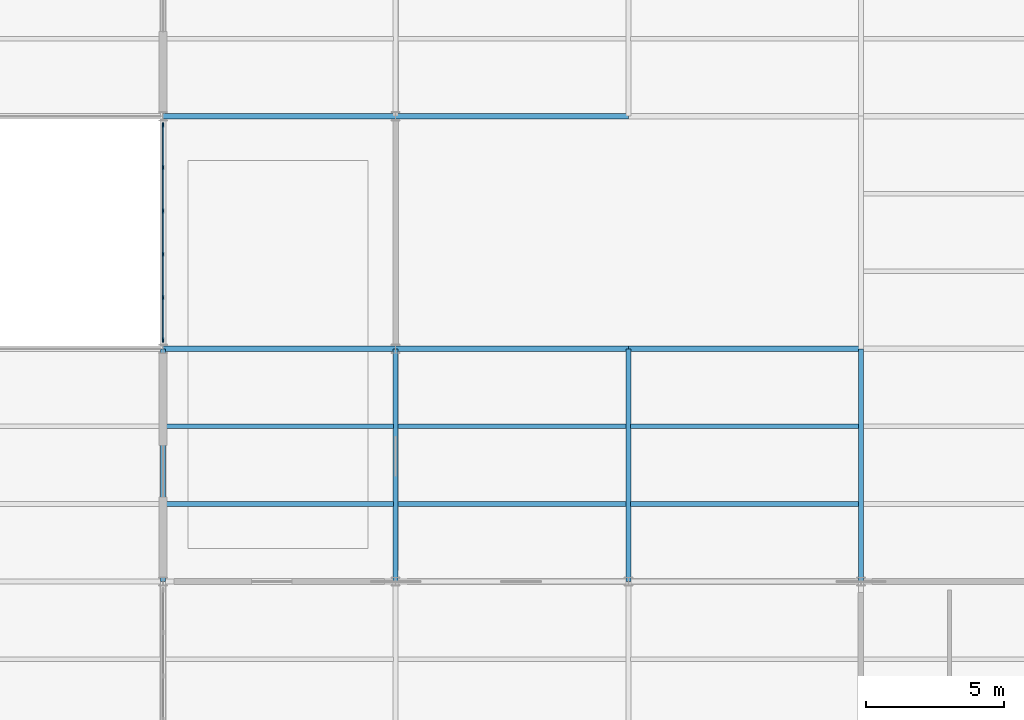
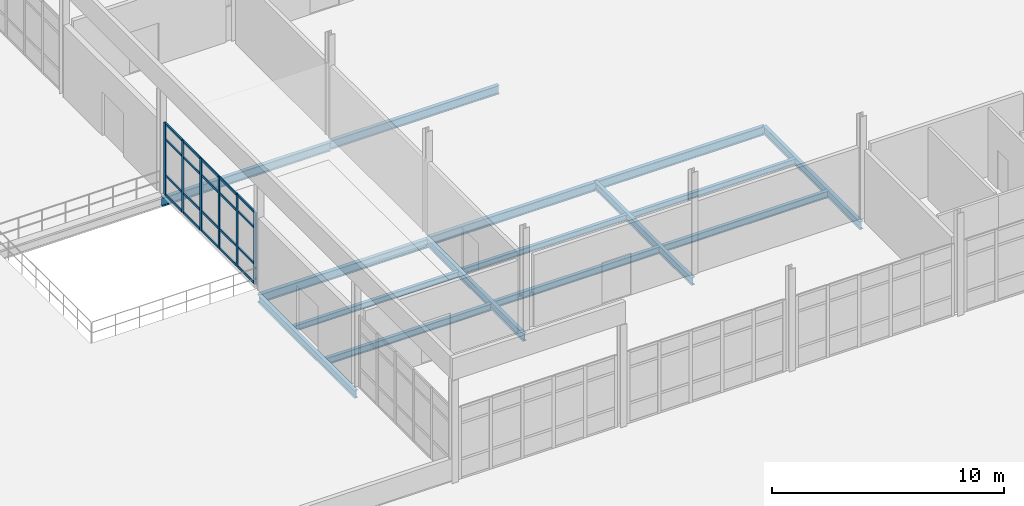
# One storey, part 11 of 33: 26 members, 15 beams, 1 element without a shape of its own.
"""IFC4 building model written with IfcOpenShell, lengths in metres."""

import ifcopenshell
import ifcopenshell.guid

model = None  # the IFC model being written
_history = None  # IfcOwnerHistory: only IFC2X3 demands one
_inside = {}  # id of a spatial element -> (the spatial element, [elements in it])
_under = {}  # id of a project, library or spatial element -> (it, [spatial elements below it])
_declared = {}  # id of a project -> (the project, [libraries it declares])
_typed = {}  # id of a type object -> (the type object, [elements of that type])
_made_of = {}  # id of a material, layer set ... -> (it, [elements and type objects made of it])


def new_model(schema):
    """Start an empty IFC model of exactly this schema.

    Asked for "IFC4X3", IfcOpenShell would pick the latest addendum, in which some entities
    have other attributes; the version numbers below select the first issue.
    IFC2X3 requires an IfcOwnerHistory on every rooted entity: one is made here for all.
    """
    global model, _history
    if schema == "IFC4X3":
        model = ifcopenshell.file(schema_version=(4, 3, 0, 0))
    else:
        model = ifcopenshell.file(schema=schema)
    _inside.clear()
    _under.clear()
    _declared.clear()
    _typed.clear()
    _made_of.clear()
    _history = None
    if model.schema == "IFC2X3":
        org = make("IfcOrganization", Name="unknown")
        user = make(
            "IfcPersonAndOrganization",
            ThePerson=make("IfcPerson", FamilyName="unknown"),
            TheOrganization=org,
        )
        app = make(
            "IfcApplication",
            ApplicationDeveloper=org,
            Version="unknown",
            ApplicationFullName="unknown",
            ApplicationIdentifier="unknown",
        )
        _history = make(
            "IfcOwnerHistory",
            OwningUser=user,
            OwningApplication=app,
            ChangeAction="ADDED",
            CreationDate=0,
        )
    return model


def make(cls, **values):
    """One entity of the class cls with the attributes given. An attribute that is None is left unset."""
    return model.create_entity(
        cls, **{name: value for name, value in values.items() if value is not None}
    )


def rooted(cls, **values):
    """An entity with a GlobalId (a new one), such as an element, a storey or a relation."""
    return make(cls, GlobalId=ifcopenshell.guid.new(), OwnerHistory=_history, **values)


def si_unit(unit_type, name, prefix=None):
    """IfcSIUnit, for example si_unit("LENGTHUNIT", "METRE", prefix="MILLI")."""
    return make("IfcSIUnit", UnitType=unit_type, Prefix=prefix, Name=name)


def assignment(units):
    """IfcUnitAssignment: the units of a project."""
    return None if units is None else make("IfcUnitAssignment", Units=units)


def point(xyz):
    """IfcCartesianPoint."""
    return None if xyz is None else make("IfcCartesianPoint", Coordinates=xyz)


def direction(xyz):
    """IfcDirection."""
    return None if xyz is None else make("IfcDirection", DirectionRatios=xyz)


def frame(location, z_axis=None, x_axis=None):
    """IfcAxis2Placement3D, a coordinate frame: its origin and axes. An axis left out is left unset."""
    return make(
        "IfcAxis2Placement3D",
        Location=point(location),
        Axis=direction(z_axis),
        RefDirection=direction(x_axis),
    )


def frame_2d(location, x_axis=None):
    """IfcAxis2Placement2D, a coordinate frame in the plane: its origin and x axis."""
    return make(
        "IfcAxis2Placement2D", Location=point(location), RefDirection=direction(x_axis)
    )


def origin():
    """The frame at (0, 0, 0) with its axes left unset."""
    return frame((0.0, 0.0, 0.0))


def origin_2d():
    """The frame at (0, 0) in the plane with its x axis left unset."""
    return frame_2d((0.0, 0.0))


def place(relative_to, where):
    """IfcLocalPlacement: puts the frame where relative to a parent placement (None: the world)."""
    return make(
        "IfcLocalPlacement", PlacementRelTo=relative_to, RelativePlacement=where
    )


def context(
    kind, dimensions, precision=None, world=None, true_north=None, identifier=None
):
    """IfcGeometricRepresentationContext, for example the 3D "Model" context."""
    return make(
        "IfcGeometricRepresentationContext",
        ContextIdentifier=identifier,
        ContextType=kind,
        CoordinateSpaceDimension=dimensions,
        Precision=precision,
        WorldCoordinateSystem=world,
        TrueNorth=true_north,
    )


def subcontext(parent, identifier, kind, view, scale=None):
    """IfcGeometricRepresentationSubContext, for example "Body" below "Model"."""
    return make(
        "IfcGeometricRepresentationSubContext",
        ContextIdentifier=identifier,
        ContextType=kind,
        ParentContext=parent,
        TargetScale=scale,
        TargetView=view,
    )


def project(units=None, contexts=None):
    """IfcProject with its units and contexts."""
    return rooted(
        "IfcProject",
        Name="project",
        RepresentationContexts=contexts,
        UnitsInContext=assignment(units),
    )


def spatial(cls, under=None, at=None, **own):
    """A site, building, storey or space (cls), placed at a placement, below another one or the project."""
    s = rooted(cls, ObjectPlacement=at, **own)
    if under is not None:
        _under.setdefault(under.id(), (under, []))[1].append(s)
    return s


def profile(cls, at=None, kind="AREA", **sizes):
    """A parametric profile (cls). Its sizes go by their IFC names, for example OverallWidth=200.0."""
    return make(cls, ProfileType=kind, Position=at, **sizes)


def rectangle(**sizes):
    """IfcRectangleProfileDef."""
    return profile("IfcRectangleProfileDef", **sizes)


def i_section(**sizes):
    """IfcIShapeProfileDef."""
    return profile("IfcIShapeProfileDef", **sizes)


def extrude(swept, where, along, depth):
    """IfcExtrudedAreaSolid: the profile swept, set in the frame where, extruded along a direction by depth."""
    return make(
        "IfcExtrudedAreaSolid",
        SweptArea=swept,
        Position=where,
        ExtrudedDirection=direction(along),
        Depth=depth,
    )


def shape(context_of_items, identifier, shape_type, items):
    """IfcShapeRepresentation: the items that make up one representation, for example the "Body"."""
    return make(
        "IfcShapeRepresentation",
        ContextOfItems=context_of_items,
        RepresentationIdentifier=identifier,
        RepresentationType=shape_type,
        Items=items,
    )


def material(Name=None, Category=None):
    """IfcMaterial."""
    return make("IfcMaterial", Name=Name, Category=Category)


def layer(
    of_material, thickness, ventilated=None, Name=None, Category=None, Priority=None
):
    """IfcMaterialLayer: one layer of a wall or slab, of a material (None: an air gap)."""
    return make(
        "IfcMaterialLayer",
        Material=of_material,
        LayerThickness=thickness,
        IsVentilated=ventilated,
        Name=Name,
        Category=Category,
        Priority=Priority,
    )


def layer_set(layers, Name=None):
    """IfcMaterialLayerSet."""
    return make("IfcMaterialLayerSet", MaterialLayers=layers, LayerSetName=Name)


def material_profile(
    of_material, cross_section, Name=None, Category=None, Priority=None
):
    """IfcMaterialProfile: a cross section and its material."""
    return make(
        "IfcMaterialProfile",
        Name=Name,
        Material=of_material,
        Profile=cross_section,
        Priority=Priority,
        Category=Category,
    )


def profile_set(profiles, Name=None, composite=None):
    """IfcMaterialProfileSet."""
    return make(
        "IfcMaterialProfileSet",
        Name=Name,
        MaterialProfiles=profiles,
        CompositeProfile=composite,
    )


def made_of(thing, what):
    """Note that an element or type object is made of a material, layer set ...; save() writes the relation."""
    if what is not None:
        _made_of.setdefault(what.id(), (what, []))[1].append(thing)
    return thing


def type_object(cls, material=None, **own):
    """A type object (cls), such as IfcWallType, which elements share."""
    return made_of(rooted(cls, **own), material)


def element(
    cls,
    number,
    at=None,
    inside=None,
    cuts=None,
    type_object=None,
    material=None,
    context=None,
    identifier="Body",
    shape_type=None,
    held_by="IfcProductDefinitionShape",
    body=None,
    shapes=None,
    **own,
):
    """One element of the class cls, such as IfcWall. Its Tag is "e" and its number.

    at: its placement. inside: the storey or other place that contains it. cuts: it is an
    opening in that element (IfcRelVoidsElement). A single representation is given by context,
    identifier, shape_type and body (its items); several are given by shapes. held_by: the class
    of the entity that holds the representations. save() writes the other relations.
    """
    e = rooted(cls, Tag="e%d" % number, ObjectPlacement=at, **own)
    if body is not None:
        shapes = [shape(context, identifier, shape_type, body)]
    if shapes is not None:
        e.Representation = make(held_by, Representations=shapes)
    if inside is not None:
        _inside.setdefault(inside.id(), (inside, []))[1].append(e)
    if cuts is not None:
        rooted(
            "IfcRelVoidsElement", RelatingBuildingElement=cuts, RelatedOpeningElement=e
        )
    if type_object is not None:
        _typed.setdefault(type_object.id(), (type_object, []))[1].append(e)
    return made_of(e, material)


def aggregate(whole, parts):
    """IfcRelAggregates: a whole, such as a stair, and the parts it consists of."""
    return rooted("IfcRelAggregates", RelatingObject=whole, RelatedObjects=parts)


def save(model, path):
    """Write the relations noted so far, then the file.

    IfcRelAggregates (storeys below a building ...), IfcRelContainedInSpatialStructure (elements
    in a storey), IfcRelDefinesByType, IfcRelAssociatesMaterial and IfcRelDeclares: one each for
    every whole, place, type object, material and project.
    """
    for whole, parts in _under.values():
        aggregate(whole, parts)
    for where, things in _inside.values():
        rooted(
            "IfcRelContainedInSpatialStructure",
            RelatedElements=things,
            RelatingStructure=where,
        )
    for kind, things in _typed.values():
        rooted("IfcRelDefinesByType", RelatedObjects=things, RelatingType=kind)
    for what, things in _made_of.values():
        rooted("IfcRelAssociatesMaterial", RelatedObjects=things, RelatingMaterial=what)
    for by, libraries in _declared.values():
        rooted("IfcRelDeclares", RelatingContext=by, RelatedDefinitions=libraries)
    model.write(path)


model = new_model("IFC4")

# Units and contexts
model_context = context("Model", 3, precision=1e-05, world=origin(), true_north=direction((0.0, 1.0)))
body_context = subcontext(model_context, "Body", "Model", "MODEL_VIEW")
ifc_project = project(units=[si_unit("LENGTHUNIT", "METRE"), si_unit("AREAUNIT", "SQUARE_METRE"), si_unit("VOLUMEUNIT", "CUBIC_METRE"), si_unit("PLANEANGLEUNIT", "RADIAN"), si_unit("MASSUNIT", "GRAM", prefix="KILO"), si_unit("THERMODYNAMICTEMPERATUREUNIT", "KELVIN"), si_unit("POWERUNIT", "WATT")], contexts=[model_context])

# Site, building, storey
site_placement = place(None, origin())
site = spatial("IfcSite", under=ifc_project, at=site_placement, CompositionType="ELEMENT")
building_placement = place(site_placement, origin())
building = spatial("IfcBuilding", under=site, at=building_placement, Name="Tembeka Court Mobility Hub", CompositionType="ELEMENT")
storey_placement = place(building_placement, frame((0.0, 0.0, 23.39990234375)))
storey = spatial("IfcBuildingStorey", under=building, at=storey_placement, Name="L06", CompositionType="ELEMENT", Elevation=23.39990234375)

# Beams
ifc_material_1 = material(Name="Steel S355", Category="steel")
ifc_material_profile_1 = material_profile(ifc_material_1, i_section(OverallWidth=0.18994140625, OverallDepth=0.45703125, WebThickness=0.009033203125, FlangeThickness=0.014404296875, FilletRadius=0.01025390625, at=origin_2d()), Name="UKB 457x191x74")
ifc_profile_set_1 = profile_set([ifc_material_profile_1], Name="Steel S355")
beam_type_1 = type_object("IfcBeamType", Name="BM-B01", PredefinedType="BEAM", material=ifc_profile_set_1)
for number, where, z_axis, x_axis, name in (
    (1, (33.60009765625, 55.199951171875, -0.54833984375), (1.0, 0.0, 0.0), (0.0, 1.0, 0.0), "Beam B01 (BM-L06-X3135)"),
    (2, (42.0, 55.199951171875, -0.478515625), (1.0, 0.0, 0.0), (0.0, 1.0, 0.0), "Beam B01 (BM-L06-X3136)"),
):
    element("IfcBeam", number, at=place(storey_placement, frame(where, z_axis=z_axis, x_axis=x_axis)), inside=storey, type_object=beam_type_1, Name=name, PredefinedType="BEAM", context=body_context, shape_type="SweptSolid", body=[
        extrude(i_section(OverallWidth=0.18994140625, OverallDepth=0.45703125, WebThickness=0.009033203125, FlangeThickness=0.014404296875, FilletRadius=0.01025390625, at=origin_2d()), origin(), (0.0, 0.0, 1.0), 8.39990234375),
    ])
beam_1_placement = place(storey_placement, frame((50.39990234375, 55.199951171875, -0.478515625), z_axis=(1.0, 0.0, 0.0), x_axis=(0.0, 1.0, 0.0)))
element("IfcBeam", 3, at=beam_1_placement, inside=storey, type_object=beam_type_1, Name="Beam B01 (BM-L06-X3137)", PredefinedType="BEAM", context=body_context, shape_type="SweptSolid", body=[
    extrude(i_section(OverallWidth=0.18994140625, OverallDepth=0.45703125, WebThickness=0.009033203125, FlangeThickness=0.014404296875, FilletRadius=0.01025390625, at=origin_2d()), origin(), (0.0, 0.0, 1.0), 8.400146484375),
])
for number, where, z_axis, x_axis, name in (
    (4, (33.60009765625, 63.60009765625, -0.54833984375), (1.0, 0.0, 0.0), (0.0, 1.0, 0.0), "Beam B01 (BM-L06-X3146)"),
    (5, (42.0, 63.60009765625, -0.478515625), (1.0, 0.0, 0.0), (0.0, 1.0, 0.0), "Beam B01 (BM-L06-X3147)"),
):
    element("IfcBeam", number, at=place(storey_placement, frame(where, z_axis=z_axis, x_axis=x_axis)), inside=storey, type_object=beam_type_1, Name=name, PredefinedType="BEAM", context=body_context, shape_type="SweptSolid", body=[
        extrude(i_section(OverallWidth=0.18994140625, OverallDepth=0.45703125, WebThickness=0.009033203125, FlangeThickness=0.014404296875, FilletRadius=0.01025390625, at=origin_2d()), origin(), (0.0, 0.0, 1.0), 8.39990234375),
    ])
ifc_material_profile_2 = material_profile(ifc_material_1, i_section(OverallWidth=0.177978515625, OverallDepth=0.406005859375, WebThickness=0.0078125, FlangeThickness=0.0126953125, FilletRadius=0.01025390625, at=origin_2d()), Name="UKB 406x178x60")
ifc_profile_set_2 = profile_set([ifc_material_profile_2], Name="Steel S355")
beam_type_2 = type_object("IfcBeamType", Name="BM-B02", PredefinedType="BEAM", material=ifc_profile_set_2)
for number, where, z_axis, x_axis, name in (
    (6, (33.60009765625, 46.800048828125, -0.52294921875), (0.0, 1.0, 0.0), (-1.0, 0.0, 0.0), "Beam B02 (BM-L06-Y3234)"),
    (7, (42.0, 46.800048828125, -0.452880859375), (0.0, 1.0, 0.0), (-1.0, 0.0, 0.0), "Beam B02 (BM-L06-Y3242)"),
    (8, (50.39990234375, 46.800048828125, -0.452880859375), (0.0, 1.0, 0.0), (-1.0, 0.0, 0.0), "Beam B02 (BM-L06-Y3250)"),
    (9, (58.800048828125, 46.800048828125, -0.452880859375), (0.0, 1.0, 0.0), (-1.0, 0.0, 0.0), "Beam B02 (BM-L06-Y3256)"),
):
    element("IfcBeam", number, at=place(storey_placement, frame(where, z_axis=z_axis, x_axis=x_axis)), inside=storey, type_object=beam_type_2, Name=name, PredefinedType="BEAM", context=body_context, shape_type="SweptSolid", body=[
        extrude(i_section(OverallWidth=0.177978515625, OverallDepth=0.406005859375, WebThickness=0.0078125, FlangeThickness=0.0126953125, FilletRadius=0.01025390625, at=origin_2d()), origin(), (0.0, 0.0, 1.0), 8.39990234375),
    ])
ifc_material_profile_3 = material_profile(ifc_material_1, i_section(OverallWidth=0.1650390625, OverallDepth=0.303955078125, WebThickness=0.006103515625, FlangeThickness=0.01025390625, FilletRadius=0.0087890625, at=origin_2d()), Name="UKB 305x165x40")
ifc_profile_set_3 = profile_set([ifc_material_profile_3], Name="Steel S355")
beam_type_3 = type_object("IfcBeamType", Name="BM-J02", PredefinedType="JOIST", material=ifc_profile_set_3)
for number, where, z_axis, x_axis, name in (
    (10, (33.68408203125, 52.39990234375, -0.471923828125), (1.0, 0.0, 0.0), (0.0, 1.0, 0.0), "Beam J02 (JST-L06-3375)"),
    (11, (42.083984375, 52.39990234375, -0.40185546875), (1.0, 0.0, 0.0), (0.0, 1.0, 0.0), "Beam J02 (JST-L06-3393)"),
):
    element("IfcBeam", number, at=place(storey_placement, frame(where, z_axis=z_axis, x_axis=x_axis)), inside=storey, type_object=beam_type_3, Name=name, PredefinedType="JOIST", context=body_context, shape_type="SweptSolid", body=[
        extrude(i_section(OverallWidth=0.1650390625, OverallDepth=0.303955078125, WebThickness=0.006103515625, FlangeThickness=0.01025390625, FilletRadius=0.0087890625, at=origin_2d()), origin(), (0.0, 0.0, 1.0), 8.23193359375),
    ])
beam_2_placement = place(storey_placement, frame((50.48388671875, 52.39990234375, -0.40185546875), z_axis=(1.0, 0.0, 0.0), x_axis=(0.0, 1.0, 0.0)))
element("IfcBeam", 12, at=beam_2_placement, inside=storey, type_object=beam_type_3, Name="Beam J02 (JST-L06-3411)", PredefinedType="JOIST", context=body_context, shape_type="SweptSolid", body=[
    extrude(i_section(OverallWidth=0.1650390625, OverallDepth=0.303955078125, WebThickness=0.006103515625, FlangeThickness=0.01025390625, FilletRadius=0.0087890625, at=origin_2d()), origin(), (0.0, 0.0, 1.0), 8.232177734375),
])
ifc_material_profile_4 = material_profile(ifc_material_1, i_section(OverallWidth=0.169921875, OverallDepth=0.360107421875, WebThickness=0.008056640625, FlangeThickness=0.0126953125, FilletRadius=0.01806640625, at=origin_2d()), Name="IPE 360")
ifc_profile_set_4 = profile_set([ifc_material_profile_4], Name="Steel S355")
beam_type_4 = type_object("IfcBeamType", Name="BM-J03", PredefinedType="JOIST", material=ifc_profile_set_4)
for number, where, z_axis, x_axis, name in (
    (13, (33.68408203125, 49.60009765625, -0.5), (1.0, 0.0, 0.0), (0.0, 1.0, 0.0), "Beam J03 (JST-L06-3374)"),
    (14, (42.083984375, 49.60009765625, -0.429931640625), (1.0, 0.0, 0.0), (0.0, 1.0, 0.0), "Beam J03 (JST-L06-3392)"),
):
    element("IfcBeam", number, at=place(storey_placement, frame(where, z_axis=z_axis, x_axis=x_axis)), inside=storey, type_object=beam_type_4, Name=name, PredefinedType="JOIST", context=body_context, shape_type="SweptSolid", body=[
        extrude(i_section(OverallWidth=0.169921875, OverallDepth=0.360107421875, WebThickness=0.008056640625, FlangeThickness=0.0126953125, FilletRadius=0.01806640625, at=origin_2d()), origin(), (0.0, 0.0, 1.0), 8.23193359375),
    ])
beam_3_placement = place(storey_placement, frame((50.48388671875, 49.60009765625, -0.429931640625), z_axis=(1.0, 0.0, 0.0), x_axis=(0.0, 1.0, 0.0)))
element("IfcBeam", 15, at=beam_3_placement, inside=storey, type_object=beam_type_4, Name="Beam J03 (JST-L06-3410)", PredefinedType="JOIST", context=body_context, shape_type="SweptSolid", body=[
    extrude(i_section(OverallWidth=0.169921875, OverallDepth=0.360107421875, WebThickness=0.008056640625, FlangeThickness=0.0126953125, FilletRadius=0.01806640625, at=origin_2d()), origin(), (0.0, 0.0, 1.0), 8.232177734375),
])

# Curtain wall, members
ifc_material_2 = material(Name="Anodised aluminium 6063-T6", Category="aluminium")
ifc_layer = layer(ifc_material_2, 0.159912109375)
ifc_layer_set = layer_set([ifc_layer], Name="Anodised aluminium 6063-T6")
curtain_wall_type = type_object("IfcCurtainWallType", Name="CW-SYS57", PredefinedType="USERDEFINED", material=ifc_layer_set)
curtain_wall_placement = place(storey_placement, origin())
curtain_wall = element("IfcCurtainWall", 16, at=curtain_wall_placement, inside=storey, type_object=curtain_wall_type, Name="Unitised curtain wall CW57 (CW-L06-149)", ObjectType="UNITISED GLAZING", PredefinedType="USERDEFINED")
ifc_material_profile_5 = material_profile(ifc_material_2, rectangle(XDim=0.06494140625, YDim=0.159912109375, at=origin_2d()), Name="ALU-MUL 65x160")
ifc_profile_set_5 = profile_set([ifc_material_profile_5], Name="Anodised aluminium 6063-T6")
member_type_1 = type_object("IfcMemberType", Name="CW-MUL01", PredefinedType="MULLION", material=ifc_profile_set_5)
member_1_placement = place(storey_placement, frame((33.60009765625, 55.512451171875, 0.0), z_axis=(0.0, 0.0, 1.0), x_axis=(-1.0, 0.0, 0.0)))
member_1 = element("IfcMember", 17, at=member_1_placement, type_object=member_type_1, Name="CW57 mullion 1", PredefinedType="MULLION", context=body_context, shape_type="SweptSolid", body=[
    extrude(rectangle(XDim=0.06494140625, YDim=0.159912109375, at=origin_2d()), origin(), (0.0, 0.0, 1.0), 3.795166015625),
])
member_2_placement = place(storey_placement, frame((33.60009765625, 57.048095703125, 0.0), z_axis=(0.0, 0.0, 1.0), x_axis=(-1.0, 0.0, 0.0)))
member_2 = element("IfcMember", 18, at=member_2_placement, type_object=member_type_1, Name="CW57 mullion 2", PredefinedType="MULLION", context=body_context, shape_type="SweptSolid", body=[
    extrude(rectangle(XDim=0.06494140625, YDim=0.159912109375, at=origin_2d()), origin(), (0.0, 0.0, 1.0), 3.795166015625),
])
member_3_placement = place(storey_placement, frame((33.60009765625, 58.615966796875, 0.0), z_axis=(0.0, 0.0, 1.0), x_axis=(-1.0, 0.0, 0.0)))
member_3 = element("IfcMember", 19, at=member_3_placement, type_object=member_type_1, Name="CW57 mullion 3", PredefinedType="MULLION", context=body_context, shape_type="SweptSolid", body=[
    extrude(rectangle(XDim=0.06494140625, YDim=0.159912109375, at=origin_2d()), origin(), (0.0, 0.0, 1.0), 3.795166015625),
])
member_4_placement = place(storey_placement, frame((33.60009765625, 60.18408203125, 0.0), z_axis=(0.0, 0.0, 1.0), x_axis=(-1.0, 0.0, 0.0)))
member_4 = element("IfcMember", 20, at=member_4_placement, type_object=member_type_1, Name="CW57 mullion 4", PredefinedType="MULLION", context=body_context, shape_type="SweptSolid", body=[
    extrude(rectangle(XDim=0.06494140625, YDim=0.159912109375, at=origin_2d()), origin(), (0.0, 0.0, 1.0), 3.795166015625),
])
member_5_placement = place(storey_placement, frame((33.60009765625, 61.751953125, 0.0), z_axis=(0.0, 0.0, 1.0), x_axis=(-1.0, 0.0, 0.0)))
member_5 = element("IfcMember", 21, at=member_5_placement, type_object=member_type_1, Name="CW57 mullion 5", PredefinedType="MULLION", context=body_context, shape_type="SweptSolid", body=[
    extrude(rectangle(XDim=0.06494140625, YDim=0.159912109375, at=origin_2d()), origin(), (0.0, 0.0, 1.0), 3.795166015625),
])
member_6_placement = place(storey_placement, frame((33.60009765625, 63.28759765625, 0.0), z_axis=(0.0, 0.0, 1.0), x_axis=(-1.0, 0.0, 0.0)))
member_6 = element("IfcMember", 22, at=member_6_placement, type_object=member_type_1, Name="CW57 mullion 6", PredefinedType="MULLION", context=body_context, shape_type="SweptSolid", body=[
    extrude(rectangle(XDim=0.06494140625, YDim=0.159912109375, at=origin_2d()), origin(), (0.0, 0.0, 1.0), 3.795166015625),
])
ifc_material_profile_6 = material_profile(ifc_material_2, rectangle(XDim=0.06494140625, YDim=0.1201171875, at=origin_2d()), Name="ALU-TRN 65x120")
ifc_profile_set_6 = profile_set([ifc_material_profile_6], Name="Anodised aluminium 6063-T6")
member_type_2 = type_object("IfcMemberType", Name="CW-TRN01", PredefinedType="USERDEFINED", material=ifc_profile_set_6)
member_7_placement = place(storey_placement, frame((33.60009765625, 55.544921875, 0.03271484375), z_axis=(0.0, 1.0, 0.0), x_axis=(-1.0, 0.0, 0.0)))
member_7 = element("IfcMember", 23, at=member_7_placement, type_object=member_type_2, Name="CW57 transom 1.1", ObjectType="TRANSOM", PredefinedType="USERDEFINED", context=body_context, shape_type="SweptSolid", body=[
    extrude(rectangle(XDim=0.06494140625, YDim=0.1201171875, at=origin_2d()), origin(), (0.0, 0.0, 1.0), 1.470458984375),
])
member_8_placement = place(storey_placement, frame((33.60009765625, 55.544921875, 1.050048828125), z_axis=(0.0, 1.0, 0.0), x_axis=(-1.0, 0.0, 0.0)))
member_8 = element("IfcMember", 24, at=member_8_placement, type_object=member_type_2, Name="CW57 transom 1.2", ObjectType="TRANSOM", PredefinedType="USERDEFINED", context=body_context, shape_type="SweptSolid", body=[
    extrude(rectangle(XDim=0.06494140625, YDim=0.1201171875, at=origin_2d()), origin(), (0.0, 0.0, 1.0), 1.470458984375),
])
member_9_placement = place(storey_placement, frame((33.60009765625, 55.544921875, 2.945068359375), z_axis=(0.0, 1.0, 0.0), x_axis=(-1.0, 0.0, 0.0)))
member_9 = element("IfcMember", 25, at=member_9_placement, type_object=member_type_2, Name="CW57 transom 1.3", ObjectType="TRANSOM", PredefinedType="USERDEFINED", context=body_context, shape_type="SweptSolid", body=[
    extrude(rectangle(XDim=0.06494140625, YDim=0.1201171875, at=origin_2d()), origin(), (0.0, 0.0, 1.0), 1.470458984375),
])
member_10_placement = place(storey_placement, frame((33.60009765625, 55.544921875, 3.7626953125), z_axis=(0.0, 1.0, 0.0), x_axis=(-1.0, 0.0, 0.0)))
member_10 = element("IfcMember", 26, at=member_10_placement, type_object=member_type_2, Name="CW57 transom 1.4", ObjectType="TRANSOM", PredefinedType="USERDEFINED", context=body_context, shape_type="SweptSolid", body=[
    extrude(rectangle(XDim=0.06494140625, YDim=0.1201171875, at=origin_2d()), origin(), (0.0, 0.0, 1.0), 1.470458984375),
])
member_11_placement = place(storey_placement, frame((33.60009765625, 57.08056640625, 0.03271484375), z_axis=(0.0, 1.0, 0.0), x_axis=(-1.0, 0.0, 0.0)))
member_11 = element("IfcMember", 27, at=member_11_placement, type_object=member_type_2, Name="CW57 transom 2.1", ObjectType="TRANSOM", PredefinedType="USERDEFINED", context=body_context, shape_type="SweptSolid", body=[
    extrude(rectangle(XDim=0.06494140625, YDim=0.1201171875, at=origin_2d()), origin(), (0.0, 0.0, 1.0), 1.5029296875),
])
member_12_placement = place(storey_placement, frame((33.60009765625, 57.08056640625, 1.050048828125), z_axis=(0.0, 1.0, 0.0), x_axis=(-1.0, 0.0, 0.0)))
member_12 = element("IfcMember", 28, at=member_12_placement, type_object=member_type_2, Name="CW57 transom 2.2", ObjectType="TRANSOM", PredefinedType="USERDEFINED", context=body_context, shape_type="SweptSolid", body=[
    extrude(rectangle(XDim=0.06494140625, YDim=0.1201171875, at=origin_2d()), origin(), (0.0, 0.0, 1.0), 1.5029296875),
])
member_13_placement = place(storey_placement, frame((33.60009765625, 57.08056640625, 2.945068359375), z_axis=(0.0, 1.0, 0.0), x_axis=(-1.0, 0.0, 0.0)))
member_13 = element("IfcMember", 29, at=member_13_placement, type_object=member_type_2, Name="CW57 transom 2.3", ObjectType="TRANSOM", PredefinedType="USERDEFINED", context=body_context, shape_type="SweptSolid", body=[
    extrude(rectangle(XDim=0.06494140625, YDim=0.1201171875, at=origin_2d()), origin(), (0.0, 0.0, 1.0), 1.5029296875),
])
member_14_placement = place(storey_placement, frame((33.60009765625, 57.08056640625, 3.7626953125), z_axis=(0.0, 1.0, 0.0), x_axis=(-1.0, 0.0, 0.0)))
member_14 = element("IfcMember", 30, at=member_14_placement, type_object=member_type_2, Name="CW57 transom 2.4", ObjectType="TRANSOM", PredefinedType="USERDEFINED", context=body_context, shape_type="SweptSolid", body=[
    extrude(rectangle(XDim=0.06494140625, YDim=0.1201171875, at=origin_2d()), origin(), (0.0, 0.0, 1.0), 1.5029296875),
])
member_15_placement = place(storey_placement, frame((33.60009765625, 58.6484375, 0.03271484375), z_axis=(0.0, 1.0, 0.0), x_axis=(-1.0, 0.0, 0.0)))
member_15 = element("IfcMember", 31, at=member_15_placement, type_object=member_type_2, Name="CW57 transom 3.1", ObjectType="TRANSOM", PredefinedType="USERDEFINED", context=body_context, shape_type="SweptSolid", body=[
    extrude(rectangle(XDim=0.06494140625, YDim=0.1201171875, at=origin_2d()), origin(), (0.0, 0.0, 1.0), 1.503173828125),
])
member_16_placement = place(storey_placement, frame((33.60009765625, 58.6484375, 1.050048828125), z_axis=(0.0, 1.0, 0.0), x_axis=(-1.0, 0.0, 0.0)))
member_16 = element("IfcMember", 32, at=member_16_placement, type_object=member_type_2, Name="CW57 transom 3.2", ObjectType="TRANSOM", PredefinedType="USERDEFINED", context=body_context, shape_type="SweptSolid", body=[
    extrude(rectangle(XDim=0.06494140625, YDim=0.1201171875, at=origin_2d()), origin(), (0.0, 0.0, 1.0), 1.503173828125),
])
member_17_placement = place(storey_placement, frame((33.60009765625, 58.6484375, 2.945068359375), z_axis=(0.0, 1.0, 0.0), x_axis=(-1.0, 0.0, 0.0)))
member_17 = element("IfcMember", 33, at=member_17_placement, type_object=member_type_2, Name="CW57 transom 3.3", ObjectType="TRANSOM", PredefinedType="USERDEFINED", context=body_context, shape_type="SweptSolid", body=[
    extrude(rectangle(XDim=0.06494140625, YDim=0.1201171875, at=origin_2d()), origin(), (0.0, 0.0, 1.0), 1.503173828125),
])
member_18_placement = place(storey_placement, frame((33.60009765625, 58.6484375, 3.7626953125), z_axis=(0.0, 1.0, 0.0), x_axis=(-1.0, 0.0, 0.0)))
member_18 = element("IfcMember", 34, at=member_18_placement, type_object=member_type_2, Name="CW57 transom 3.4", ObjectType="TRANSOM", PredefinedType="USERDEFINED", context=body_context, shape_type="SweptSolid", body=[
    extrude(rectangle(XDim=0.06494140625, YDim=0.1201171875, at=origin_2d()), origin(), (0.0, 0.0, 1.0), 1.503173828125),
])
member_19_placement = place(storey_placement, frame((33.60009765625, 60.216552734375, 0.03271484375), z_axis=(0.0, 1.0, 0.0), x_axis=(-1.0, 0.0, 0.0)))
member_19 = element("IfcMember", 35, at=member_19_placement, type_object=member_type_2, Name="CW57 transom 4.1", ObjectType="TRANSOM", PredefinedType="USERDEFINED", context=body_context, shape_type="SweptSolid", body=[
    extrude(rectangle(XDim=0.06494140625, YDim=0.1201171875, at=origin_2d()), origin(), (0.0, 0.0, 1.0), 1.5029296875),
])
member_20_placement = place(storey_placement, frame((33.60009765625, 60.216552734375, 1.050048828125), z_axis=(0.0, 1.0, 0.0), x_axis=(-1.0, 0.0, 0.0)))
member_20 = element("IfcMember", 36, at=member_20_placement, type_object=member_type_2, Name="CW57 transom 4.2", ObjectType="TRANSOM", PredefinedType="USERDEFINED", context=body_context, shape_type="SweptSolid", body=[
    extrude(rectangle(XDim=0.06494140625, YDim=0.1201171875, at=origin_2d()), origin(), (0.0, 0.0, 1.0), 1.5029296875),
])
member_21_placement = place(storey_placement, frame((33.60009765625, 60.216552734375, 2.945068359375), z_axis=(0.0, 1.0, 0.0), x_axis=(-1.0, 0.0, 0.0)))
member_21 = element("IfcMember", 37, at=member_21_placement, type_object=member_type_2, Name="CW57 transom 4.3", ObjectType="TRANSOM", PredefinedType="USERDEFINED", context=body_context, shape_type="SweptSolid", body=[
    extrude(rectangle(XDim=0.06494140625, YDim=0.1201171875, at=origin_2d()), origin(), (0.0, 0.0, 1.0), 1.5029296875),
])
member_22_placement = place(storey_placement, frame((33.60009765625, 60.216552734375, 3.7626953125), z_axis=(0.0, 1.0, 0.0), x_axis=(-1.0, 0.0, 0.0)))
member_22 = element("IfcMember", 38, at=member_22_placement, type_object=member_type_2, Name="CW57 transom 4.4", ObjectType="TRANSOM", PredefinedType="USERDEFINED", context=body_context, shape_type="SweptSolid", body=[
    extrude(rectangle(XDim=0.06494140625, YDim=0.1201171875, at=origin_2d()), origin(), (0.0, 0.0, 1.0), 1.5029296875),
])
member_23_placement = place(storey_placement, frame((33.60009765625, 61.784423828125, 0.03271484375), z_axis=(0.0, 1.0, 0.0), x_axis=(-1.0, 0.0, 0.0)))
member_23 = element("IfcMember", 39, at=member_23_placement, type_object=member_type_2, Name="CW57 transom 5.1", ObjectType="TRANSOM", PredefinedType="USERDEFINED", context=body_context, shape_type="SweptSolid", body=[
    extrude(rectangle(XDim=0.06494140625, YDim=0.1201171875, at=origin_2d()), origin(), (0.0, 0.0, 1.0), 1.470458984375),
])
member_24_placement = place(storey_placement, frame((33.60009765625, 61.784423828125, 1.050048828125), z_axis=(0.0, 1.0, 0.0), x_axis=(-1.0, 0.0, 0.0)))
member_24 = element("IfcMember", 40, at=member_24_placement, type_object=member_type_2, Name="CW57 transom 5.2", ObjectType="TRANSOM", PredefinedType="USERDEFINED", context=body_context, shape_type="SweptSolid", body=[
    extrude(rectangle(XDim=0.06494140625, YDim=0.1201171875, at=origin_2d()), origin(), (0.0, 0.0, 1.0), 1.470458984375),
])
member_25_placement = place(storey_placement, frame((33.60009765625, 61.784423828125, 2.945068359375), z_axis=(0.0, 1.0, 0.0), x_axis=(-1.0, 0.0, 0.0)))
member_25 = element("IfcMember", 41, at=member_25_placement, type_object=member_type_2, Name="CW57 transom 5.3", ObjectType="TRANSOM", PredefinedType="USERDEFINED", context=body_context, shape_type="SweptSolid", body=[
    extrude(rectangle(XDim=0.06494140625, YDim=0.1201171875, at=origin_2d()), origin(), (0.0, 0.0, 1.0), 1.470458984375),
])
member_26_placement = place(storey_placement, frame((33.60009765625, 61.784423828125, 3.7626953125), z_axis=(0.0, 1.0, 0.0), x_axis=(-1.0, 0.0, 0.0)))
member_26 = element("IfcMember", 42, at=member_26_placement, type_object=member_type_2, Name="CW57 transom 5.4", ObjectType="TRANSOM", PredefinedType="USERDEFINED", context=body_context, shape_type="SweptSolid", body=[
    extrude(rectangle(XDim=0.06494140625, YDim=0.1201171875, at=origin_2d()), origin(), (0.0, 0.0, 1.0), 1.470458984375),
])
aggregate(curtain_wall, [member_1, member_2, member_3, member_4, member_5, member_6, member_7, member_8, member_9, member_10, member_11, member_12, member_13, member_14, member_15, member_16, member_17, member_18, member_19, member_20, member_21, member_22, member_23, member_24, member_25, member_26])

save(model, "model.ifc")
